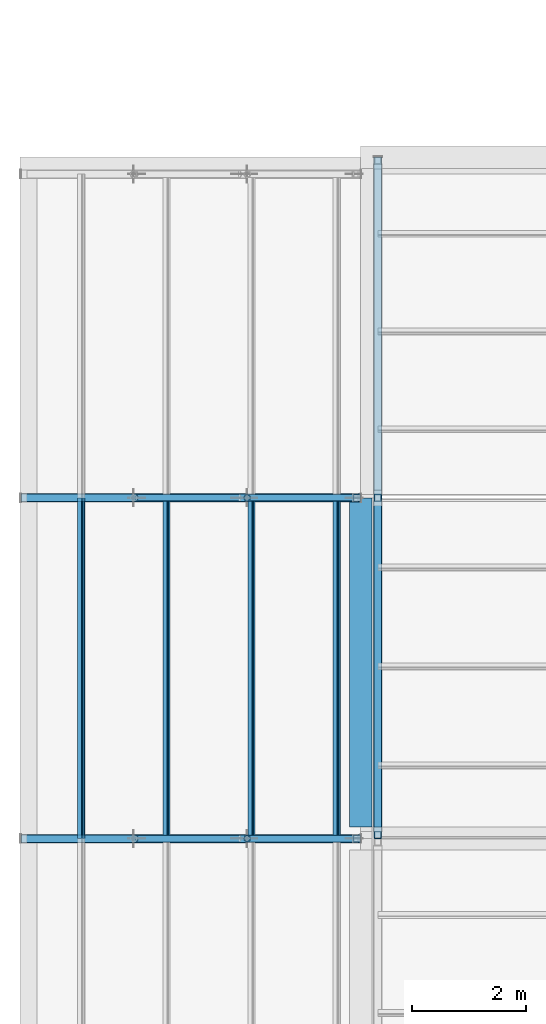
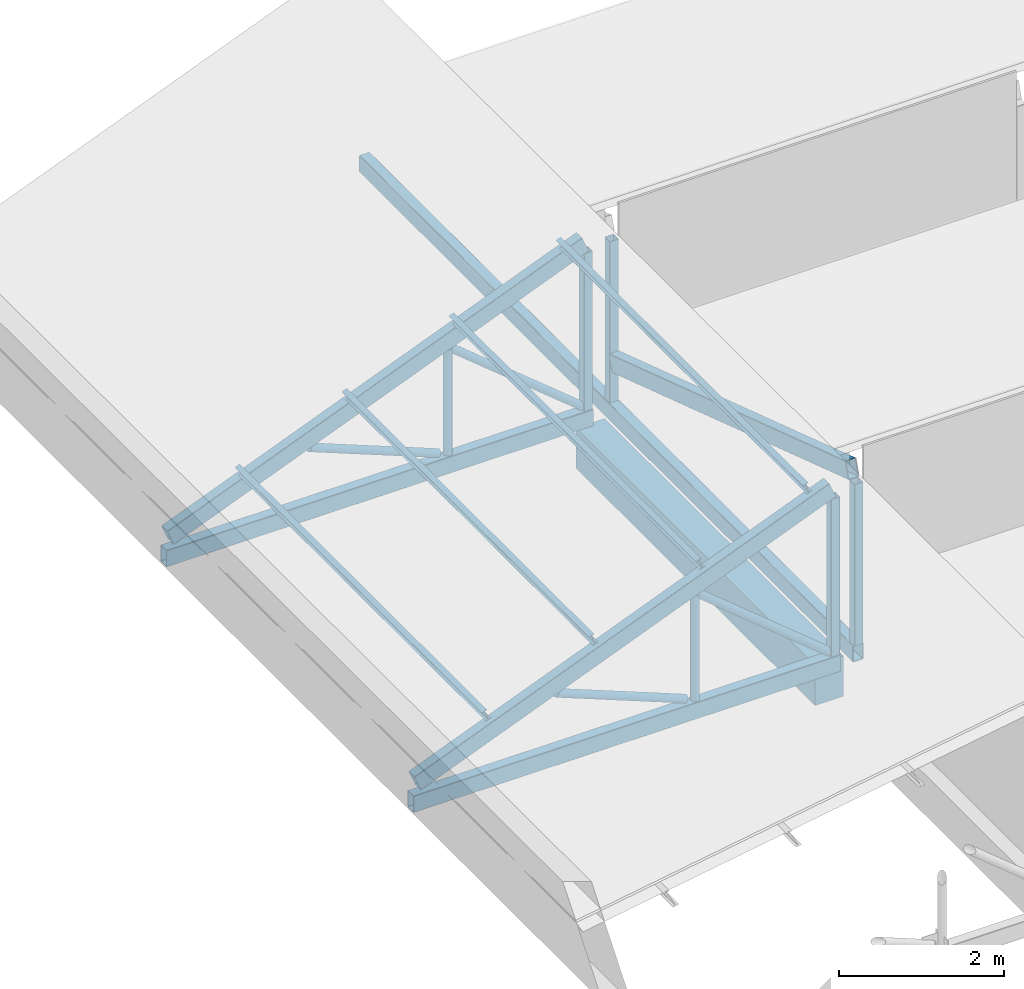
# One storey, part 10 of 118: 20 members, 1 beam.
"""IFC4 building model written with IfcOpenShell, lengths in metres."""

from ifc_helpers import new_model, si_unit, direction, frame, origin, origin_2d, place, context, subcontext, project, spatial, rectangle, hollow_rectangle, hollow_circle, i_section, extrude, material, material_profile, profile_set, type_object, element, save


model = new_model("IFC4")

# Units and contexts
model_context = context("Model", 3, precision=1e-05, world=origin(), true_north=direction((0.0, 1.0)))
body_context = subcontext(model_context, "Body", "Model", "MODEL_VIEW")
ifc_project = project(units=[si_unit("LENGTHUNIT", "METRE"), si_unit("AREAUNIT", "SQUARE_METRE"), si_unit("VOLUMEUNIT", "CUBIC_METRE"), si_unit("PLANEANGLEUNIT", "RADIAN"), si_unit("MASSUNIT", "GRAM", prefix="KILO")], contexts=[model_context])

# Site, building, storey
site_placement = place(None, origin())
site = spatial("IfcSite", under=ifc_project, at=site_placement, CompositionType="ELEMENT")
building_placement = place(site_placement, origin())
building = spatial("IfcBuilding", under=site, at=building_placement, Name="Saffron Lane Theatres", CompositionType="ELEMENT")
storey_placement = place(building_placement, frame((0.0, 0.0, 16.5)))
storey = spatial("IfcBuildingStorey", under=building, at=storey_placement, Name="L03", CompositionType="ELEMENT", Elevation=16.5)

# Beam
ifc_material_1 = material(Name="Concrete N40 (40 MPa)", Category="concrete")
ifc_material_profile_1 = material_profile(ifc_material_1, rectangle(XDim=0.39990234375, YDim=0.60009765625, at=origin_2d()))
ifc_profile_set_1 = profile_set([ifc_material_profile_1], Name="Concrete N40 (40 MPa)")
beam_type = type_object("IfcBeamType", Name="RC-BEAM 400x600", PredefinedType="BEAM", material=ifc_profile_set_1)
beam_placement = place(storey_placement, frame((6.0, 18.199951171875, -0.300048828125), z_axis=(0.0, 1.0, 0.0), x_axis=(-1.0, 0.0, 0.0)))
element("IfcBeam", 1, at=beam_placement, inside=storey, type_object=beam_type, Name="beam-eaves-y60-242", PredefinedType="BEAM", context=body_context, shape_type="SweptSolid", body=[
    extrude(rectangle(XDim=0.39990234375, YDim=0.60009765625, at=origin_2d()), origin(), (0.0, 0.0, 1.0), 5.800048828125),
])

# Members
ifc_material_2 = material(Name="Steel Grade 350", Category="steel")
ifc_material_profile_2 = material_profile(ifc_material_2, hollow_rectangle(XDim=0.125, YDim=0.125, WallThickness=0.006103515625, InnerFilletRadius=0.0029296875, OuterFilletRadius=0.009033203125, at=origin_2d()))
ifc_profile_set_2 = profile_set([ifc_material_profile_2], Name="Steel Grade 350")
member_type_1 = type_object("IfcMemberType", Name="ST-STUDIO POST 125x125x6 SHS", PredefinedType="POST", material=ifc_profile_set_2)
for number, where, z_axis, x_axis, name in (
    (2, (6.300048828125, 18.0625, 0.25), (0.0, 0.0, 1.0), (1.0, 0.0, 0.0), "GSP2"),
    (3, (6.300048828125, 24.0, 0.25), (0.0, 0.0, 1.0), (1.0, 0.0, 0.0), "GSP4"),
):
    element("IfcMember", number, at=place(storey_placement, frame(where, z_axis=z_axis, x_axis=x_axis)), inside=storey, type_object=member_type_1, Name=name, PredefinedType="POST", context=body_context, shape_type="SweptSolid", body=[
        extrude(hollow_rectangle(XDim=0.125, YDim=0.125, WallThickness=0.006103515625, InnerFilletRadius=0.0029296875, OuterFilletRadius=0.009033203125, at=origin_2d()), origin(), (0.0, 0.0, 1.0), 2.388671875),
    ])
for number, where, z_axis, x_axis, name in (
    (4, (5.9375, 18.0, 0.25), (0.0, 0.0, 1.0), (1.0, 0.0, 0.0), "GWP24"),
    (5, (5.9375, 24.0, 0.25), (0.0, 0.0, 1.0), (1.0, 0.0, 0.0), "GWP31"),
):
    element("IfcMember", number, at=place(storey_placement, frame(where, z_axis=z_axis, x_axis=x_axis)), inside=storey, type_object=member_type_1, Name=name, PredefinedType="POST", context=body_context, shape_type="SweptSolid", body=[
        extrude(hollow_rectangle(XDim=0.125, YDim=0.125, WallThickness=0.006103515625, InnerFilletRadius=0.0029296875, OuterFilletRadius=0.009033203125, at=origin_2d()), origin(), (0.0, 0.0, 1.0), 2.33544921875),
    ])
ifc_material_3 = material(Name="Steel Grade 350", Category="steel")
ifc_material_profile_3 = material_profile(ifc_material_3, i_section(OverallWidth=0.074951171875, OverallDepth=0.155029296875, WebThickness=0.006103515625, FlangeThickness=0.009521484375, FilletRadius=0.008056640625, at=origin_2d()))
ifc_profile_set_3 = profile_set([ifc_material_profile_3], Name="Steel Grade 350")
member_type_2 = type_object("IfcMemberType", Name="ST-STUDIO PURLIN 150UB18.0", PredefinedType="PURLIN", material=ifc_profile_set_3)
for number, where, z_axis, x_axis, name in (
    (6, (1.0791015625, 18.0, 1.03125), (0.0, 1.0, 0.0), (-0.929273373147, 0.0, -0.36939274216), "GWU46"),
    (7, (2.5791015625, 18.0, 1.627685546875), (0.0, 1.0, 0.0), (-0.929273373147, 0.0, -0.36939274216), "GWU51"),
    (8, (4.0791015625, 18.0, 2.223876953125), (0.0, 1.0, 0.0), (-0.929273373147, 0.0, -0.36939274216), "GWU56"),
    (9, (5.5791015625, 18.0, 2.820068359375), (0.0, 1.0, 0.0), (-0.929273373147, 0.0, -0.36939274216), "GWU61"),
):
    element("IfcMember", number, at=place(storey_placement, frame(where, z_axis=z_axis, x_axis=x_axis)), inside=storey, type_object=member_type_2, Name=name, PredefinedType="PURLIN", context=body_context, shape_type="SweptSolid", body=[
        extrude(i_section(OverallWidth=0.074951171875, OverallDepth=0.155029296875, WebThickness=0.006103515625, FlangeThickness=0.009521484375, FilletRadius=0.008056640625, at=origin_2d()), origin(), (0.0, 0.0, 1.0), 6.0),
    ])
ifc_material_4 = material(Name="Steel Grade 350", Category="steel")
ifc_material_profile_4 = material_profile(ifc_material_4, hollow_rectangle(XDim=0.14990234375, YDim=0.25, WallThickness=0.009033203125, InnerFilletRadius=0.00439453125, OuterFilletRadius=0.013427734375, at=origin_2d()))
ifc_profile_set_4 = profile_set([ifc_material_profile_4], Name="Steel Grade 350")
member_type_3 = type_object("IfcMemberType", Name="ST-STUDIO TRUSS CHORD 250x150x9 RHS", PredefinedType="CHORD", material=ifc_profile_set_4)
member_1_placement = place(storey_placement, frame((6.300048828125, 18.02001953125, 0.125), z_axis=(0.0, 1.0, 0.0), x_axis=(-1.0, 0.0, 0.0)))
element("IfcMember", 10, at=member_1_placement, inside=storey, type_object=member_type_3, Name="GST1", PredefinedType="CHORD", context=body_context, shape_type="SweptSolid", body=[
    extrude(hollow_rectangle(XDim=0.14990234375, YDim=0.25, WallThickness=0.009033203125, InnerFilletRadius=0.00439453125, OuterFilletRadius=0.013427734375, at=origin_2d()), origin(), (0.0, 0.0, 1.0), 11.97998046875),
])
member_2_placement = place(storey_placement, frame((6.300048828125, 18.1640625, 2.757568359375), z_axis=(0.0, 0.949629130372, -0.313375995807), x_axis=(-1.0, 0.0, 0.0)))
element("IfcMember", 11, at=member_2_placement, inside=storey, type_object=member_type_3, Name="GSC3", PredefinedType="CHORD", context=body_context, shape_type="SweptSolid", body=[
    extrude(hollow_rectangle(XDim=0.14990234375, YDim=0.25, WallThickness=0.009033203125, InnerFilletRadius=0.00439453125, OuterFilletRadius=0.013427734375, at=origin_2d()), origin(), (0.0, 0.0, 1.0), 6.03857421875),
])
member_3_placement = place(storey_placement, frame((0.02001953125, 18.0, 0.125), z_axis=(1.0, 0.0, 0.0), x_axis=(0.0, 1.0, 0.0)))
element("IfcMember", 12, at=member_3_placement, inside=storey, type_object=member_type_3, Name="GWT22", PredefinedType="CHORD", context=body_context, shape_type="SweptSolid", body=[
    extrude(hollow_rectangle(XDim=0.14990234375, YDim=0.25, WallThickness=0.009033203125, InnerFilletRadius=0.00439453125, OuterFilletRadius=0.013427734375, at=origin_2d()), origin(), (0.0, 0.0, 1.0), 5.97998046875),
])
member_4_placement = place(storey_placement, frame((0.076171875, 18.0, 0.414794921875), z_axis=(0.929276333654, 0.0, 0.369385294388), x_axis=(0.0, 1.0, 0.0)))
element("IfcMember", 13, at=member_4_placement, inside=storey, type_object=member_type_3, Name="GWC23", PredefinedType="CHORD", context=body_context, shape_type="SweptSolid", body=[
    extrude(hollow_rectangle(XDim=0.14990234375, YDim=0.25, WallThickness=0.009033203125, InnerFilletRadius=0.00439453125, OuterFilletRadius=0.013427734375, at=origin_2d()), origin(), (0.0, 0.0, 1.0), 6.2578125),
])
member_5_placement = place(storey_placement, frame((0.02001953125, 24.0, 0.125), z_axis=(1.0, 0.0, 0.0), x_axis=(0.0, 1.0, 0.0)))
element("IfcMember", 14, at=member_5_placement, inside=storey, type_object=member_type_3, Name="GWT29", PredefinedType="CHORD", context=body_context, shape_type="SweptSolid", body=[
    extrude(hollow_rectangle(XDim=0.14990234375, YDim=0.25, WallThickness=0.009033203125, InnerFilletRadius=0.00439453125, OuterFilletRadius=0.013427734375, at=origin_2d()), origin(), (0.0, 0.0, 1.0), 5.97998046875),
])
member_6_placement = place(storey_placement, frame((0.076171875, 24.0, 0.414794921875), z_axis=(0.929276333654, 0.0, 0.369385294388), x_axis=(0.0, 1.0, 0.0)))
element("IfcMember", 15, at=member_6_placement, inside=storey, type_object=member_type_3, Name="GWC30", PredefinedType="CHORD", context=body_context, shape_type="SweptSolid", body=[
    extrude(hollow_rectangle(XDim=0.14990234375, YDim=0.25, WallThickness=0.009033203125, InnerFilletRadius=0.00439453125, OuterFilletRadius=0.013427734375, at=origin_2d()), origin(), (0.0, 0.0, 1.0), 6.2578125),
])
ifc_material_5 = material(Name="Steel Grade 350", Category="steel")
ifc_material_profile_5 = material_profile(ifc_material_5, hollow_circle(Radius=0.05712890625, WallThickness=0.006103515625, at=origin_2d()))
ifc_profile_set_5 = profile_set([ifc_material_profile_5], Name="Steel Grade 350")
member_type_4 = type_object("IfcMemberType", Name="ST-STUDIO TRUSS WEB 114.3x6.0 CHS", PredefinedType="BRACE", material=ifc_profile_set_5)
member_7_placement = place(storey_placement, frame((4.0, 18.0, 0.25), z_axis=(0.0, 0.0, 1.0), x_axis=(1.0, 0.0, 0.0)))
element("IfcMember", 16, at=member_7_placement, inside=storey, type_object=member_type_4, Name="GWW26", PredefinedType="BRACE", context=body_context, shape_type="SweptSolid", body=[
    extrude(hollow_circle(Radius=0.05712890625, WallThickness=0.006103515625, at=origin_2d()), origin(), (0.0, 0.0, 1.0), 1.5673828125),
])
member_8_placement = place(storey_placement, frame((5.8837890625, 18.0, 0.294189453125), z_axis=(-0.773024871508, 0.0, 0.634375715195), x_axis=(0.0, -1.0, 0.0)))
element("IfcMember", 17, at=member_8_placement, inside=storey, type_object=member_type_4, Name="GWW27", PredefinedType="BRACE", context=body_context, shape_type="SweptSolid", body=[
    extrude(hollow_circle(Radius=0.05712890625, WallThickness=0.006103515625, at=origin_2d()), origin(), (0.0, 0.0, 1.0), 2.4052734375),
])
member_9_placement = place(storey_placement, frame((3.866455078125, 18.0, 0.30322265625), z_axis=(-0.929295525906, 0.0, 0.369337008071), x_axis=(0.0, -1.0, 0.0)))
element("IfcMember", 18, at=member_9_placement, inside=storey, type_object=member_type_4, Name="GWW28", PredefinedType="BRACE", context=body_context, shape_type="SweptSolid", body=[
    extrude(hollow_circle(Radius=0.05712890625, WallThickness=0.006103515625, at=origin_2d()), origin(), (0.0, 0.0, 1.0), 1.947998046875),
])
member_10_placement = place(storey_placement, frame((4.0, 24.0, 0.25), z_axis=(0.0, 0.0, 1.0), x_axis=(1.0, 0.0, 0.0)))
element("IfcMember", 19, at=member_10_placement, inside=storey, type_object=member_type_4, Name="GWW33", PredefinedType="BRACE", context=body_context, shape_type="SweptSolid", body=[
    extrude(hollow_circle(Radius=0.05712890625, WallThickness=0.006103515625, at=origin_2d()), origin(), (0.0, 0.0, 1.0), 1.5673828125),
])
member_11_placement = place(storey_placement, frame((5.8837890625, 24.0, 0.294189453125), z_axis=(-0.773024871508, 0.0, 0.634375715195), x_axis=(0.0, -1.0, 0.0)))
element("IfcMember", 20, at=member_11_placement, inside=storey, type_object=member_type_4, Name="GWW34", PredefinedType="BRACE", context=body_context, shape_type="SweptSolid", body=[
    extrude(hollow_circle(Radius=0.05712890625, WallThickness=0.006103515625, at=origin_2d()), origin(), (0.0, 0.0, 1.0), 2.4052734375),
])
member_12_placement = place(storey_placement, frame((3.866455078125, 24.0, 0.30322265625), z_axis=(-0.929295525906, 0.0, 0.369337008071), x_axis=(0.0, -1.0, 0.0)))
element("IfcMember", 21, at=member_12_placement, inside=storey, type_object=member_type_4, Name="GWW35", PredefinedType="BRACE", context=body_context, shape_type="SweptSolid", body=[
    extrude(hollow_circle(Radius=0.05712890625, WallThickness=0.006103515625, at=origin_2d()), origin(), (0.0, 0.0, 1.0), 1.947998046875),
])

save(model, "model.ifc")
